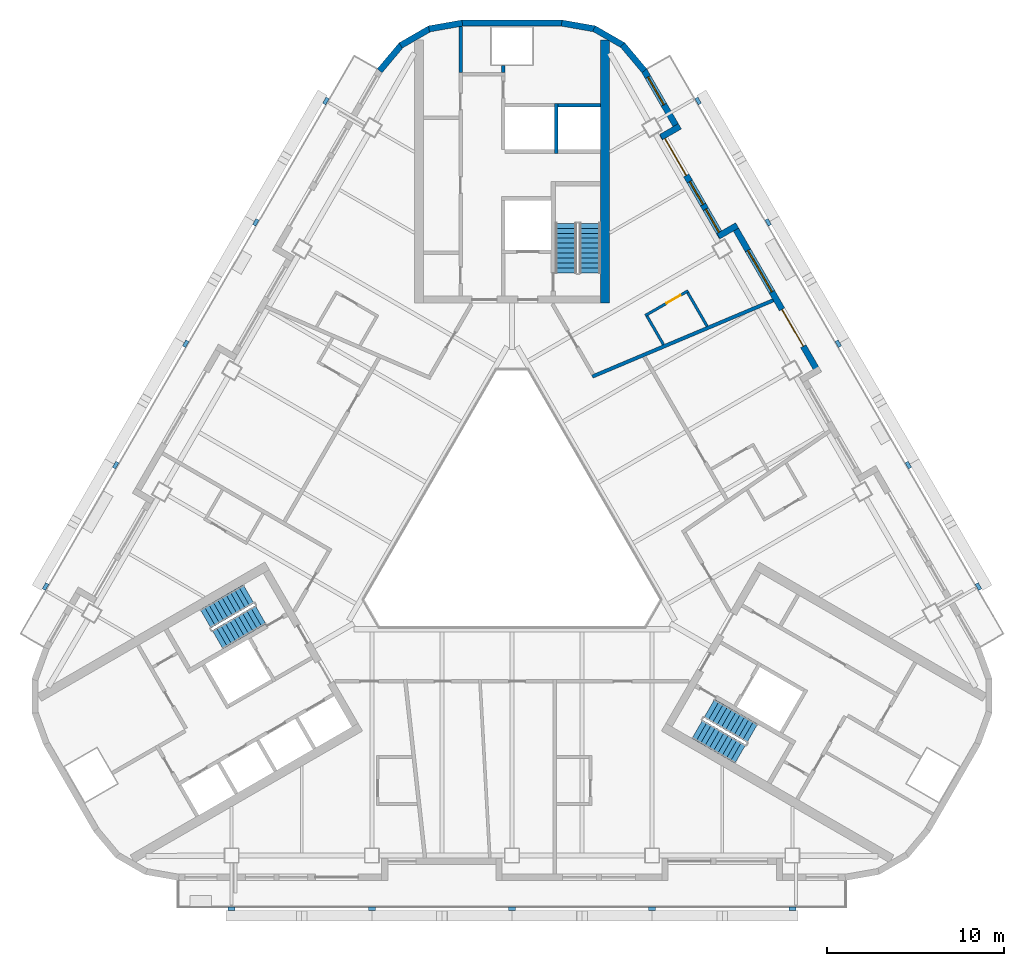
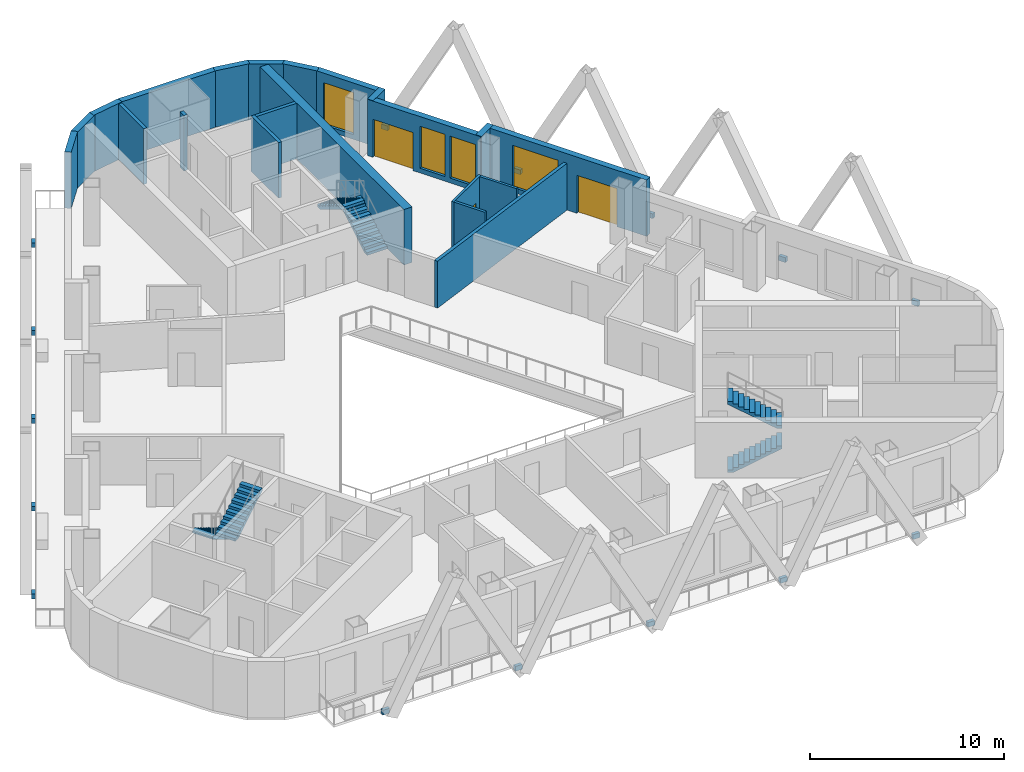
# One storey, part 7 of 13: 21 walls, 15 discrete accessories, 6 stair flights, 4 windows, 3 doors, 7 openings, 3 elements without a shape of their own.
"""IFC4 building model written with IfcOpenShell, lengths in metres."""

from ifc_helpers import new_model, si_unit, direction, frame, frame_2d, origin, origin_2d, place, context, subcontext, project, spatial, polyline, rectangle, outline, extrude, material, layer, layer_set, type_object, element, fill, aggregate, save


model = new_model("IFC4")

# Units and contexts
model_context = context("Model", 3, precision=1e-05, world=origin(), true_north=direction((0.0, 1.0)))
body_context = subcontext(model_context, "Body", "Model", "MODEL_VIEW")
ifc_project = project(units=[si_unit("LENGTHUNIT", "METRE"), si_unit("AREAUNIT", "SQUARE_METRE"), si_unit("VOLUMEUNIT", "CUBIC_METRE"), si_unit("PLANEANGLEUNIT", "RADIAN"), si_unit("MASSUNIT", "GRAM", prefix="KILO")], contexts=[model_context])

# Site, building, storey
site_placement = place(None, origin())
site = spatial("IfcSite", under=ifc_project, at=site_placement, CompositionType="ELEMENT")
building_placement = place(site_placement, origin())
building = spatial("IfcBuilding", under=site, at=building_placement, Name="Apuvela Tower Hotel", CompositionType="ELEMENT")
storey_placement = place(building_placement, frame((0.0, 0.0, 161.39990234375)))
storey = spatial("IfcBuildingStorey", under=building, at=storey_placement, Name="L38", CompositionType="ELEMENT", Elevation=161.39990234375)

# Walls
ifc_material_1 = material(Name="Concrete C50/60", Category="concrete")
ifc_layer_1 = layer(ifc_material_1, 0.5)
ifc_layer_set_1 = layer_set([ifc_layer_1], Name="COR-WALL-CORE-500")
wall_type_1 = type_object("IfcWallType", Name="COR-WALL-CORE-500", PredefinedType="SHEAR", material=ifc_layer_set_1)
wall_1_placement = place(storey_placement, frame((5.25, 12.89990234375, 0.0), z_axis=(0.0, 0.0, 1.0), x_axis=(0.0, 1.0, 0.0)))
element("IfcWall", 1, at=wall_1_placement, inside=storey, type_object=wall_type_1, Name="Core wall N", PredefinedType="SHEAR", context=body_context, shape_type="SweptSolid", body=[
    extrude(rectangle(XDim=14.8369140625, YDim=0.5, at=frame_2d((7.41845703125, 0.0))), origin(), (0.0, 0.0, 1.0), 3.5),
])
ifc_layer_2 = layer(ifc_material_1, 0.199951171875)
ifc_layer_set_2 = layer_set([ifc_layer_2], Name="COR-WALL-SHAFT-200")
wall_type_2 = type_object("IfcWallType", Name="COR-WALL-SHAFT-200", PredefinedType="SHEAR", material=ifc_layer_set_2)
wall_2_placement = place(storey_placement, frame((-0.5, 25.89990234375, 0.0), z_axis=(0.0, 0.0, 1.0), x_axis=(0.0, 1.0, 0.0)))
element("IfcWall", 2, at=wall_2_placement, inside=storey, type_object=wall_type_2, Name="Shaft wall N", PredefinedType="SHEAR", context=body_context, shape_type="SweptSolid", body=[
    extrude(rectangle(XDim=0.400146484375, YDim=0.199951171875, at=frame_2d((0.2001953125, 0.0))), origin(), (0.0, 0.0, 1.0), 3.5),
])
wall_3_placement = place(storey_placement, frame((-2.89990234375, 25.89990234375, 0.0), z_axis=(0.0, 0.0, 1.0), x_axis=(0.0, 1.0, 0.0)))
element("IfcWall", 3, at=wall_3_placement, inside=storey, type_object=wall_type_2, Name="Shaft wall N", PredefinedType="SHEAR", context=body_context, shape_type="SweptSolid", body=[
    extrude(rectangle(XDim=2.60009765625, YDim=0.199951171875, at=frame_2d((1.300048828125, 0.0))), origin(), (0.0, 0.0, 1.0), 3.5),
])
wall_4_placement = place(storey_placement, frame((2.5, 21.35009765625, 0.0), z_axis=(0.0, 0.0, 1.0), x_axis=(0.0, 1.0, 0.0)))
element("IfcWall", 4, at=wall_4_placement, inside=storey, type_object=wall_type_2, Name="Shaft wall N", PredefinedType="SHEAR", context=body_context, shape_type="SweptSolid", body=[
    extrude(rectangle(XDim=2.7998046875, YDim=0.199951171875, at=frame_2d((1.39990234375, 0.0))), origin(), (0.0, 0.0, 1.0), 3.5),
])
wall_5_placement = place(storey_placement, frame((5.0, 24.050048828125, 0.0), z_axis=(0.0, 0.0, 1.0), x_axis=(-1.0, 0.0, 0.0)))
element("IfcWall", 5, at=wall_5_placement, inside=storey, type_object=wall_type_2, Name="Shaft wall N", PredefinedType="SHEAR", context=body_context, shape_type="SweptSolid", body=[
    extrude(rectangle(XDim=2.39990234375, YDim=0.199951171875, at=frame_2d((1.199951171875, 0.0))), origin(), (0.0, 0.0, 1.0), 3.5),
])

# Wall, openings, door, window
ifc_material_2 = material(Name="Concrete C40/50, dark pigmented precast panel", Category="concrete")
ifc_layer_3 = layer(ifc_material_2, 0.35009765625)
ifc_layer_set_3 = layer_set([ifc_layer_3], Name="ENV-WALL-350")
wall_type_3 = type_object("IfcWallType", Name="ENV-WALL-350", PredefinedType="SOLIDWALL", material=ifc_layer_set_3)
wall_6_placement = place(storey_placement, frame((17.298583984375, 8.947998046875, 0.0), z_axis=(0.0, 0.0, 1.0), x_axis=(-0.500010041276, 0.866019606374, 0.0)))
wall_6 = element("IfcWall", 6, at=wall_6_placement, inside=storey, type_object=wall_type_3, Name="External wall L38-37", PredefinedType="SOLIDWALL", context=body_context, shape_type="SweptSolid", body=[
    extrude(rectangle(XDim=9.699951171875, YDim=0.35009765625, at=frame_2d((4.85009765625, 0.0))), origin(), (0.0, 0.0, 1.0), 3.550048828125),
])
opening_1_placement = place(wall_6_placement, frame((1.761962890625, 0.0, 0.0)))
opening_1 = element("IfcOpeningElement", 7, at=opening_1_placement, cuts=wall_6, Name="Opening BD24", PredefinedType="OPENING", context=body_context, shape_type="SweptSolid", body=[
    extrude(rectangle(XDim=2.39990234375, YDim=2.39990234375, at=frame_2d((1.199951171875, 1.199951171875))), frame((0.0, 0.18505859375, 0.0), z_axis=(0.0, -1.0, 0.0), x_axis=(1.0, 0.0, 0.0)), (0.0, 0.0, 1.0), 0.3701171875),
])
opening_2_placement = place(wall_6_placement, frame((5.301025390625, 0.0, 0.300048828125)))
opening_2 = element("IfcOpeningElement", 8, at=opening_2_placement, cuts=wall_6, Name="Opening WN27", PredefinedType="OPENING", context=body_context, shape_type="SweptSolid", body=[
    extrude(rectangle(XDim=2.699951171875, YDim=2.64990234375, at=frame_2d((1.35009765625, 1.324951171875))), frame((0.0, 0.18505859375, 0.0), z_axis=(0.0, -1.0, 0.0), x_axis=(1.0, 0.0, 0.0)), (0.0, 0.0, 1.0), 0.3701171875),
])
ifc_material_3 = material(Name="Aluminium 6063-T6, dark bronze anodised frame with dark tinted laminated glass", Category="aluminium")
door_type_1 = type_object("IfcDoorType", Name="ENV-DOOR-BALCONY-2400x2400", OperationType="SLIDING_TO_LEFT", PredefinedType="DOOR", material=ifc_material_3)
door_1_placement = place(opening_1_placement, frame((2.39990234375, 0.0, 0.0), z_axis=(0.0, 0.0, 1.0), x_axis=(-1.0, 0.0, 0.0)))
door_1 = element("IfcDoor", 9, at=door_1_placement, inside=storey, type_object=door_type_1, Name="Balcony door BD24", OperationType="SLIDING_TO_LEFT", OverallHeight=2.39990234375, OverallWidth=2.39990234375, PredefinedType="DOOR", context=body_context, shape_type="SweptSolid", body=[
    extrude(rectangle(XDim=2.39990234375, YDim=2.39990234375, at=frame_2d((1.199951171875, 1.199951171875))), frame((0.0, 0.02490234375, 0.0), z_axis=(0.0, -1.0, 0.0), x_axis=(1.0, 0.0, 0.0)), (0.0, 0.0, 1.0), 0.050048828125),
])
fill(opening_1, door_1)
ifc_material_4 = material(Name="Glass, dark tinted laminated insulated glazing unit", Category="glass")
window_type_1 = type_object("IfcWindowType", Name="ENV-WIN-2700x2650", PartitioningType="SINGLE_PANEL", PredefinedType="WINDOW", material=ifc_material_4)
window_1_placement = place(opening_2_placement, origin())
window_1 = element("IfcWindow", 10, at=window_1_placement, inside=storey, type_object=window_type_1, Name="Window WN27", OverallHeight=2.64990234375, OverallWidth=2.699951171875, PartitioningType="SINGLE_PANEL", PredefinedType="WINDOW", context=body_context, shape_type="SweptSolid", body=[
    extrude(rectangle(XDim=2.699951171875, YDim=2.64990234375, at=frame_2d((1.35009765625, 1.324951171875))), frame((0.0, 0.030029296875, 0.0), z_axis=(0.0, -1.0, 0.0), x_axis=(1.0, 0.0, 0.0)), (0.0, 0.0, 1.0), 0.06005859375),
])
fill(opening_2, window_1)

# Wall
wall_7_placement = place(storey_placement, frame((12.6875, 17.284423828125, 0.0), z_axis=(0.0, 0.0, 1.0), x_axis=(-0.865955602162, -0.500120880472, 0.0)))
element("IfcWall", 11, at=wall_7_placement, inside=storey, type_object=wall_type_3, Name="External wall L38-38", PredefinedType="SOLIDWALL", context=body_context, shape_type="SweptSolid", body=[
    extrude(rectangle(XDim=1.219970703125, YDim=0.35009765625, at=frame_2d((0.60986328125, 0.0))), origin(), (0.0, 0.0, 1.0), 3.550048828125),
])

# Wall, openings, door, windows
wall_8_placement = place(storey_placement, frame((11.8291015625, 16.621337890625, 0.0), z_axis=(0.0, 0.0, 1.0), x_axis=(-0.500003597184, 0.866023326939, 0.0)))
wall_8 = element("IfcWall", 12, at=wall_8_placement, inside=storey, type_object=wall_type_3, Name="External wall L38-39", PredefinedType="SOLIDWALL", context=body_context, shape_type="SweptSolid", body=[
    extrude(rectangle(XDim=6.740234375, YDim=0.35009765625, at=frame_2d((3.3701171875, 0.0))), origin(), (0.0, 0.0, 1.0), 3.550048828125),
])
opening_3_placement = place(wall_8_placement, frame((4.01953125, 0.0, 0.0)))
opening_3 = element("IfcOpeningElement", 13, at=opening_3_placement, cuts=wall_8, Name="Opening BD24", PredefinedType="OPENING", context=body_context, shape_type="SweptSolid", body=[
    extrude(rectangle(XDim=2.39990234375, YDim=2.39990234375, at=frame_2d((1.199951171875, 1.199951171875))), frame((0.0, 0.18505859375, 0.0), z_axis=(0.0, -1.0, 0.0), x_axis=(1.0, 0.0, 0.0)), (0.0, 0.0, 1.0), 0.3701171875),
])
opening_4_placement = place(wall_8_placement, frame((0.320068359375, 0.0, 0.300048828125)))
opening_4 = element("IfcOpeningElement", 14, at=opening_4_placement, cuts=wall_8, Name="Opening WN15", PredefinedType="OPENING", context=body_context, shape_type="SweptSolid", body=[
    extrude(rectangle(XDim=1.5, YDim=2.64990234375, at=frame_2d((0.75, 1.324951171875))), frame((0.0, 0.18505859375, 0.0), z_axis=(0.0, -1.0, 0.0), x_axis=(1.0, 0.0, 0.0)), (0.0, 0.0, 1.0), 0.3701171875),
])
opening_5_placement = place(wall_8_placement, frame((2.1201171875, 0.0, 0.300048828125)))
opening_5 = element("IfcOpeningElement", 15, at=opening_5_placement, cuts=wall_8, Name="Opening WN15", PredefinedType="OPENING", context=body_context, shape_type="SweptSolid", body=[
    extrude(rectangle(XDim=1.5, YDim=2.64990234375, at=frame_2d((0.75, 1.324951171875))), frame((0.0, 0.18505859375, 0.0), z_axis=(0.0, -1.0, 0.0), x_axis=(1.0, 0.0, 0.0)), (0.0, 0.0, 1.0), 0.3701171875),
])
door_2_placement = place(opening_3_placement, frame((2.39990234375, 0.0, 0.0), z_axis=(0.0, 0.0, 1.0), x_axis=(-1.0, 0.0, 0.0)))
door_2 = element("IfcDoor", 16, at=door_2_placement, inside=storey, type_object=door_type_1, Name="Balcony door BD24", OperationType="SLIDING_TO_LEFT", OverallHeight=2.39990234375, OverallWidth=2.39990234375, PredefinedType="DOOR", context=body_context, shape_type="SweptSolid", body=[
    extrude(rectangle(XDim=2.39990234375, YDim=2.39990234375, at=frame_2d((1.199951171875, 1.199951171875))), frame((0.0, 0.02490234375, 0.0), z_axis=(0.0, -1.0, 0.0), x_axis=(1.0, 0.0, 0.0)), (0.0, 0.0, 1.0), 0.050048828125),
])
fill(opening_3, door_2)
window_type_2 = type_object("IfcWindowType", Name="ENV-WIN-1500x2650", PartitioningType="SINGLE_PANEL", PredefinedType="WINDOW", material=ifc_material_4)
window_2_placement = place(opening_4_placement, origin())
window_2 = element("IfcWindow", 17, at=window_2_placement, inside=storey, type_object=window_type_2, Name="Window WN15", OverallHeight=2.64990234375, OverallWidth=1.5, PartitioningType="SINGLE_PANEL", PredefinedType="WINDOW", context=body_context, shape_type="SweptSolid", body=[
    extrude(rectangle(XDim=1.5, YDim=2.64990234375, at=frame_2d((0.75, 1.324951171875))), frame((0.0, 0.030029296875, 0.0), z_axis=(0.0, -1.0, 0.0), x_axis=(1.0, 0.0, 0.0)), (0.0, 0.0, 1.0), 0.06005859375),
])
fill(opening_4, window_2)
window_3_placement = place(opening_5_placement, origin())
window_3 = element("IfcWindow", 18, at=window_3_placement, inside=storey, type_object=window_type_2, Name="Window WN15", OverallHeight=2.64990234375, OverallWidth=1.5, PartitioningType="SINGLE_PANEL", PredefinedType="WINDOW", context=body_context, shape_type="SweptSolid", body=[
    extrude(rectangle(XDim=1.5, YDim=2.64990234375, at=frame_2d((0.75, 1.324951171875))), frame((0.0, 0.030029296875, 0.0), z_axis=(0.0, -1.0, 0.0), x_axis=(1.0, 0.0, 0.0)), (0.0, 0.0, 1.0), 0.06005859375),
])
fill(opening_5, window_3)

# Wall
wall_9_placement = place(storey_placement, frame((8.406005859375, 22.26025390625, 0.0), z_axis=(0.0, 0.0, 1.0), x_axis=(0.865955602162, 0.500120880472, 0.0)))
element("IfcWall", 19, at=wall_9_placement, inside=storey, type_object=wall_type_3, Name="External wall L38-40", PredefinedType="SOLIDWALL", context=body_context, shape_type="SweptSolid", body=[
    extrude(rectangle(XDim=1.219970703125, YDim=0.35009765625, at=frame_2d((0.60986328125, 0.0))), origin(), (0.0, 0.0, 1.0), 3.550048828125),
])

# Wall, opening, window
wall_10_placement = place(storey_placement, frame((9.3984375, 22.631103515625, 0.0), z_axis=(0.0, 0.0, 1.0), x_axis=(-0.499954521343, 0.866051659307, 0.0)))
wall_10 = element("IfcWall", 20, at=wall_10_placement, inside=storey, type_object=wall_type_3, Name="External wall L38-41", PredefinedType="SOLIDWALL", context=body_context, shape_type="SweptSolid", body=[
    extrude(rectangle(XDim=3.915771484375, YDim=0.35009765625, at=frame_2d((1.9580078125, 0.0))), origin(), (0.0, 0.0, 1.0), 3.550048828125),
])
opening_6_placement = place(wall_10_placement, frame((1.67529296875, 0.0, 0.300048828125)))
opening_6 = element("IfcOpeningElement", 21, at=opening_6_placement, cuts=wall_10, Name="Opening WN18", PredefinedType="OPENING", context=body_context, shape_type="SweptSolid", body=[
    extrude(rectangle(XDim=1.800048828125, YDim=2.64990234375, at=frame_2d((0.89990234375, 1.324951171875))), frame((0.0, 0.18505859375, 0.0), z_axis=(0.0, -1.0, 0.0), x_axis=(1.0, 0.0, 0.0)), (0.0, 0.0, 1.0), 0.3701171875),
])
window_type_3 = type_object("IfcWindowType", Name="ENV-WIN-1800x2650", PartitioningType="SINGLE_PANEL", PredefinedType="WINDOW", material=ifc_material_4)
window_4_placement = place(opening_6_placement, origin())
window_4 = element("IfcWindow", 22, at=window_4_placement, inside=storey, type_object=window_type_3, Name="Window WN18", OverallHeight=2.64990234375, OverallWidth=1.800048828125, PartitioningType="SINGLE_PANEL", PredefinedType="WINDOW", context=body_context, shape_type="SweptSolid", body=[
    extrude(rectangle(XDim=1.800048828125, YDim=2.64990234375, at=frame_2d((0.89990234375, 1.324951171875))), frame((0.0, 0.030029296875, 0.0), z_axis=(0.0, -1.0, 0.0), x_axis=(1.0, 0.0, 0.0)), (0.0, 0.0, 1.0), 0.06005859375),
])
fill(opening_6, window_4)

# Walls
wall_11_placement = place(storey_placement, frame((7.4580078125, 25.99755859375, 0.0), z_axis=(0.0, 0.0, 1.0), x_axis=(-0.642808304945, 0.766027077259, 0.0)))
element("IfcWall", 23, at=wall_11_placement, inside=storey, type_object=wall_type_3, Name="External wall L38-42", PredefinedType="SOLIDWALL", context=body_context, shape_type="SweptSolid", body=[
    extrude(rectangle(XDim=1.909912109375, YDim=0.35009765625, at=frame_2d((0.955078125, 0.0))), origin(), (0.0, 0.0, 1.0), 3.550048828125),
])
for number, where, z_axis, x_axis, name in (
    (24, (6.27685546875, 27.421630859375, 0.0), (0.0, 0.0, 1.0), (-0.866032345022, 0.499987977232, 0.0), "External wall L38-43"),
    (25, (4.6796875, 28.35595703125, 0.0), (0.0, 0.0, 1.0), (-0.984798995425, 0.173697837091, 0.0), "External wall L38-44"),
):
    element("IfcWall", number, at=place(storey_placement, frame(where, z_axis=z_axis, x_axis=x_axis)), inside=storey, type_object=wall_type_3, Name=name, PredefinedType="SOLIDWALL", context=body_context, shape_type="SweptSolid", body=[
        extrude(rectangle(XDim=1.91015625, YDim=0.35009765625, at=frame_2d((0.955078125, 0.0))), origin(), (0.0, 0.0, 1.0), 3.550048828125),
    ])
wall_12_placement = place(storey_placement, frame((2.8291015625, 28.68505859375, 0.0), z_axis=(0.0, 0.0, 1.0), x_axis=(-1.0, 0.0, 0.0)))
element("IfcWall", 26, at=wall_12_placement, inside=storey, type_object=wall_type_3, Name="External wall L38-45", PredefinedType="SOLIDWALL", context=body_context, shape_type="SweptSolid", body=[
    extrude(rectangle(XDim=5.658203125, YDim=0.35009765625, at=frame_2d((2.8291015625, 0.0))), origin(), (0.0, 0.0, 1.0), 3.550048828125),
])
for number, where, z_axis, x_axis, name in (
    (27, (-2.798583984375, 28.687744140625, 0.0), (0.0, 0.0, 1.0), (-0.984798995425, -0.173697837091, 0.0), "External wall L38-46"),
    (28, (-4.62255859375, 28.376708984375, 0.0), (0.0, 0.0, 1.0), (-0.866032345022, -0.499987977232, 0.0), "External wall L38-47"),
):
    element("IfcWall", number, at=place(storey_placement, frame(where, z_axis=z_axis, x_axis=x_axis)), inside=storey, type_object=wall_type_3, Name=name, PredefinedType="SOLIDWALL", context=body_context, shape_type="SweptSolid", body=[
        extrude(rectangle(XDim=1.91015625, YDim=0.35009765625, at=frame_2d((0.955078125, 0.0))), origin(), (0.0, 0.0, 1.0), 3.550048828125),
    ])
wall_13_placement = place(storey_placement, frame((-6.230224609375, 27.460693359375, 0.0), z_axis=(0.0, 0.0, 1.0), x_axis=(-0.642808304945, -0.766027077259, 0.0)))
element("IfcWall", 29, at=wall_13_placement, inside=storey, type_object=wall_type_3, Name="External wall L38-48", PredefinedType="SOLIDWALL", context=body_context, shape_type="SweptSolid", body=[
    extrude(rectangle(XDim=1.909912109375, YDim=0.35009765625, at=frame_2d((0.955078125, 0.0))), origin(), (0.0, 0.0, 1.0), 3.550048828125),
])
ifc_material_5 = material(Name="Gypsum board partition on twin steel stud", Category="steel")
ifc_layer_4 = layer(ifc_material_5, 0.199951171875)
ifc_layer_set_4 = layer_set([ifc_layer_4], Name="GST-PW1")
wall_type_4 = type_object("IfcWallType", Name="GST-PW1", PredefinedType="PARTITIONING", material=ifc_layer_set_4)
wall_14_placement = place(storey_placement, frame((14.721923828125, 13.060791015625, 0.0), z_axis=(0.0, 0.0, 1.0), x_axis=(-0.921447968583, -0.388501790465, 0.0)))
element("IfcWall", 30, at=wall_14_placement, inside=storey, type_object=wall_type_4, Name="L38 partition 04", PredefinedType="PARTITIONING", context=body_context, shape_type="SweptSolid", body=[
    extrude(rectangle(XDim=11.065673828125, YDim=0.199951171875, at=frame_2d((5.53271484375, 0.0))), origin(), (0.0, 0.0, 1.0), 2.9501953125),
])

# Wall, opening, door
ifc_material_6 = material(Name="Moisture-resistant gypsum board wet wall on steel stud", Category="steel")
ifc_layer_5 = layer(ifc_material_6, 0.14990234375)
ifc_layer_set_5 = layer_set([ifc_layer_5], Name="GST-PW3")
wall_type_5 = type_object("IfcWallType", Name="GST-PW3", PredefinedType="PARTITIONING", material=ifc_layer_set_5)
wall_15_placement = place(storey_placement, frame((9.9306640625, 13.599609375, 0.0), z_axis=(0.0, 0.0, 1.0), x_axis=(-0.866034573852, -0.49998411664, 0.0)))
wall_15 = element("IfcWall", 31, at=wall_15_placement, inside=storey, type_object=wall_type_5, Name="L38 partition 26", PredefinedType="PARTITIONING", context=body_context, shape_type="SweptSolid", body=[
    extrude(rectangle(XDim=2.7998046875, YDim=0.14990234375, at=frame_2d((1.39990234375, 0.0))), origin(), (0.0, 0.0, 1.0), 3.550048828125),
])
opening_7_placement = place(wall_15_placement, frame((0.5, 0.0, 0.0)))
opening_7 = element("IfcOpeningElement", 32, at=opening_7_placement, cuts=wall_15, Name="Opening GD14-11", PredefinedType="OPENING", context=body_context, shape_type="SweptSolid", body=[
    extrude(rectangle(XDim=0.89990234375, YDim=2.10009765625, at=frame_2d((0.449951171875, 1.050048828125))), frame((0.0, 0.0849609375, 0.0), z_axis=(0.0, -1.0, 0.0), x_axis=(1.0, 0.0, 0.0)), (0.0, 0.0, 1.0), 0.169921875),
])
ifc_material_7 = material(Name="Timber door leaf in steel frame", Category="steel")
door_type_2 = type_object("IfcDoorType", Name="GST-D2", OperationType="NOTDEFINED", PredefinedType="DOOR", material=ifc_material_7)
door_3_placement = place(opening_7_placement, origin())
door_3 = element("IfcDoor", 33, at=door_3_placement, inside=storey, type_object=door_type_2, Name="Door L38-11", OperationType="SINGLE_SWING_LEFT", OverallHeight=2.10009765625, OverallWidth=0.89990234375, PredefinedType="DOOR", context=body_context, shape_type="SweptSolid", body=[
    extrude(rectangle(XDim=0.89990234375, YDim=2.10009765625, at=frame_2d((0.449951171875, 1.050048828125))), frame((0.0, 0.02490234375, 0.0), z_axis=(0.0, -1.0, 0.0), x_axis=(1.0, 0.0, 0.0)), (0.0, 0.0, 1.0), 0.050048828125),
])
fill(opening_7, door_3)

# Walls
wall_16_placement = place(storey_placement, frame((10.998779296875, 11.599609375, 0.0), z_axis=(0.0, 0.0, 1.0), x_axis=(-0.499937856693, 0.866061279267, 0.0)))
element("IfcWall", 34, at=wall_16_placement, inside=storey, type_object=wall_type_5, Name="L38 partition 27", PredefinedType="PARTITIONING", context=body_context, shape_type="SweptSolid", body=[
    extrude(rectangle(XDim=2.191162109375, YDim=0.14990234375, at=frame_2d((1.095703125, 0.0))), origin(), (0.0, 0.0, 1.0), 3.550048828125),
])
wall_17_placement = place(storey_placement, frame((8.537841796875, 10.56201171875, 0.0), z_axis=(0.0, 0.0, 1.0), x_axis=(-0.500036928615, 0.866004081989, 0.0)))
element("IfcWall", 35, at=wall_17_placement, inside=storey, type_object=wall_type_5, Name="L38 partition 28", PredefinedType="PARTITIONING", context=body_context, shape_type="SweptSolid", body=[
    extrude(rectangle(XDim=1.859130859375, YDim=0.14990234375, at=frame_2d((0.9296875, 0.0))), origin(), (0.0, 0.0, 1.0), 3.550048828125),
])

# Stair, stair flights
stair_type = type_object("IfcStairType", Name="COR-STAIR-22R", PredefinedType="HALF_TURN_STAIR", material=ifc_material_1)
stair_1_placement = place(storey_placement, origin())
stair_1 = element("IfcStair", 36, at=stair_1_placement, inside=storey, type_object=stair_type, Name="L38 Exit stair ST1", PredefinedType="HALF_TURN_STAIR")
stair_flight_type = type_object("IfcStairFlightType", Name="COR-FLIGHT-11R", PredefinedType="STRAIGHT", material=ifc_material_1)
stair_flight_1_placement = place(storey_placement, frame((4.39990234375, 14.60009765625, 0.0), z_axis=(0.0, 0.0, 1.0), x_axis=(0.0, 1.0, 0.0)))
stair_flight_1 = element("IfcStairFlight", 37, at=stair_flight_1_placement, type_object=stair_flight_type, Name="ST1 flight 1", NumberOfRisers=11, NumberOfTreads=10, PredefinedType="STRAIGHT", RiserHeight=0.168181818, TreadLength=0.28, context=body_context, shape_type="SweptSolid", body=[
    extrude(outline(polyline([(0.0, 0.0), (0.0, 0.168212890625), (0.280029296875, 0.168212890625), (0.280029296875, 0.33642578125), (0.56005859375, 0.33642578125), (0.56005859375, 0.504638671875), (0.840087890625, 0.504638671875), (0.840087890625, 0.672607421875), (1.1201171875, 0.672607421875), (1.1201171875, 0.8408203125), (1.39990234375, 0.8408203125), (1.39990234375, 1.009033203125), (1.679931640625, 1.009033203125), (1.679931640625, 1.17724609375), (1.9599609375, 1.17724609375), (1.9599609375, 1.345458984375), (2.239990234375, 1.345458984375), (2.239990234375, 1.513671875), (2.52001953125, 1.513671875), (2.52001953125, 1.681884765625), (2.800048828125, 1.681884765625), (2.800048828125, 1.85009765625), (2.800048828125, 1.5068359375), (0.291015625, 0.0), (0.0, 0.0)])), frame((0.0, 0.60009765625, 0.0), z_axis=(0.0, -1.0, 0.0), x_axis=(1.0, 0.0, 0.0)), (0.0, 0.0, 1.0), 1.199951171875),
])
stair_flight_2_placement = place(storey_placement, frame((3.050048828125, 17.39990234375, 1.85009765625), z_axis=(0.0, 0.0, 1.0), x_axis=(0.0, -1.0, 0.0)))
stair_flight_2 = element("IfcStairFlight", 38, at=stair_flight_2_placement, type_object=stair_flight_type, Name="ST1 flight 2", NumberOfRisers=11, NumberOfTreads=10, PredefinedType="STRAIGHT", RiserHeight=0.168181818, TreadLength=0.28, context=body_context, shape_type="SweptSolid", body=[
    extrude(outline(polyline([(0.0, 0.0), (0.0, 0.168212890625), (0.280029296875, 0.168212890625), (0.280029296875, 0.33642578125), (0.56005859375, 0.33642578125), (0.56005859375, 0.504638671875), (0.840087890625, 0.504638671875), (0.840087890625, 0.672607421875), (1.1201171875, 0.672607421875), (1.1201171875, 0.8408203125), (1.39990234375, 0.8408203125), (1.39990234375, 1.009033203125), (1.679931640625, 1.009033203125), (1.679931640625, 1.17724609375), (1.9599609375, 1.17724609375), (1.9599609375, 1.345458984375), (2.239990234375, 1.345458984375), (2.239990234375, 1.513671875), (2.52001953125, 1.513671875), (2.52001953125, 1.681884765625), (2.800048828125, 1.681884765625), (2.800048828125, 1.85009765625), (2.800048828125, 1.5068359375), (0.291015625, 0.0), (0.0, 0.0)])), frame((0.0, 0.60009765625, 0.0), z_axis=(0.0, -1.0, 0.0), x_axis=(1.0, 0.0, 0.0)), (0.0, 0.0, 1.0), 1.199951171875),
])
aggregate(stair_1, [stair_flight_1, stair_flight_2])

stair_2_placement = place(storey_placement, origin())
stair_2 = element("IfcStair", 39, at=stair_2_placement, inside=storey, type_object=stair_type, Name="L38 Exit stair ST2", PredefinedType="HALF_TURN_STAIR")
stair_flight_3_placement = place(storey_placement, frame((-14.843994140625, -3.489501953125, 0.0), z_axis=(0.0, 0.0, 1.0), x_axis=(-0.866025403784, -0.5, 0.0)))
stair_flight_3 = element("IfcStairFlight", 40, at=stair_flight_3_placement, type_object=stair_flight_type, Name="ST2 flight 1", NumberOfRisers=11, NumberOfTreads=10, PredefinedType="STRAIGHT", RiserHeight=0.168181818, TreadLength=0.28, context=body_context, shape_type="SweptSolid", body=[
    extrude(outline(polyline([(0.0, 0.0), (0.0, 0.168212890625), (0.280029296875, 0.168212890625), (0.280029296875, 0.33642578125), (0.56005859375, 0.33642578125), (0.56005859375, 0.504638671875), (0.840087890625, 0.504638671875), (0.840087890625, 0.672607421875), (1.1201171875, 0.672607421875), (1.1201171875, 0.8408203125), (1.39990234375, 0.8408203125), (1.39990234375, 1.009033203125), (1.679931640625, 1.009033203125), (1.679931640625, 1.17724609375), (1.9599609375, 1.17724609375), (1.9599609375, 1.345458984375), (2.239990234375, 1.345458984375), (2.239990234375, 1.513671875), (2.52001953125, 1.513671875), (2.52001953125, 1.681884765625), (2.800048828125, 1.681884765625), (2.800048828125, 1.85009765625), (2.800048828125, 1.5068359375), (0.291015625, 0.0), (0.0, 0.0)])), frame((0.0, 0.60009765625, 0.0), z_axis=(0.0, -1.0, 0.0), x_axis=(1.0, 0.0, 0.0)), (0.0, 0.0, 1.0), 1.199951171875),
])
stair_flight_4_placement = place(storey_placement, frame((-16.59375, -6.05859375, 1.85009765625), z_axis=(0.0, 0.0, 1.0), x_axis=(0.866025403784, 0.5, 0.0)))
stair_flight_4 = element("IfcStairFlight", 41, at=stair_flight_4_placement, type_object=stair_flight_type, Name="ST2 flight 2", NumberOfRisers=11, NumberOfTreads=10, PredefinedType="STRAIGHT", RiserHeight=0.168181818, TreadLength=0.28, context=body_context, shape_type="SweptSolid", body=[
    extrude(outline(polyline([(0.0, 0.0), (0.0, 0.168212890625), (0.280029296875, 0.168212890625), (0.280029296875, 0.33642578125), (0.56005859375, 0.33642578125), (0.56005859375, 0.504638671875), (0.840087890625, 0.504638671875), (0.840087890625, 0.672607421875), (1.1201171875, 0.672607421875), (1.1201171875, 0.8408203125), (1.39990234375, 0.8408203125), (1.39990234375, 1.009033203125), (1.679931640625, 1.009033203125), (1.679931640625, 1.17724609375), (1.9599609375, 1.17724609375), (1.9599609375, 1.345458984375), (2.239990234375, 1.345458984375), (2.239990234375, 1.513671875), (2.52001953125, 1.513671875), (2.52001953125, 1.681884765625), (2.800048828125, 1.681884765625), (2.800048828125, 1.85009765625), (2.800048828125, 1.5068359375), (0.291015625, 0.0), (0.0, 0.0)])), frame((0.0, 0.60009765625, 0.0), z_axis=(0.0, -1.0, 0.0), x_axis=(1.0, 0.0, 0.0)), (0.0, 0.0, 1.0), 1.199951171875),
])
aggregate(stair_2, [stair_flight_3, stair_flight_4])

stair_3_placement = place(storey_placement, origin())
stair_3 = element("IfcStair", 42, at=stair_3_placement, inside=storey, type_object=stair_type, Name="L38 Exit stair ST3", PredefinedType="HALF_TURN_STAIR")
stair_flight_5_placement = place(storey_placement, frame((10.444091796875, -11.110595703125, 0.0), z_axis=(0.0, 0.0, 1.0), x_axis=(0.866025403784, -0.5, 0.0)))
stair_flight_5 = element("IfcStairFlight", 43, at=stair_flight_5_placement, type_object=stair_flight_type, Name="ST3 flight 1", NumberOfRisers=11, NumberOfTreads=10, PredefinedType="STRAIGHT", RiserHeight=0.168181818, TreadLength=0.28, context=body_context, shape_type="SweptSolid", body=[
    extrude(outline(polyline([(0.0, 0.0), (0.0, 0.168212890625), (0.280029296875, 0.168212890625), (0.280029296875, 0.33642578125), (0.56005859375, 0.33642578125), (0.56005859375, 0.504638671875), (0.840087890625, 0.504638671875), (0.840087890625, 0.672607421875), (1.1201171875, 0.672607421875), (1.1201171875, 0.8408203125), (1.39990234375, 0.8408203125), (1.39990234375, 1.009033203125), (1.679931640625, 1.009033203125), (1.679931640625, 1.17724609375), (1.9599609375, 1.17724609375), (1.9599609375, 1.345458984375), (2.239990234375, 1.345458984375), (2.239990234375, 1.513671875), (2.52001953125, 1.513671875), (2.52001953125, 1.681884765625), (2.800048828125, 1.681884765625), (2.800048828125, 1.85009765625), (2.800048828125, 1.5068359375), (0.291015625, 0.0), (0.0, 0.0)])), frame((0.0, 0.60009765625, 0.0), z_axis=(0.0, -1.0, 0.0), x_axis=(1.0, 0.0, 0.0)), (0.0, 0.0, 1.0), 1.199951171875),
])
stair_flight_6_placement = place(storey_placement, frame((13.5439453125, -11.34130859375, 1.85009765625), z_axis=(0.0, 0.0, 1.0), x_axis=(-0.866025403784, 0.5, 0.0)))
stair_flight_6 = element("IfcStairFlight", 44, at=stair_flight_6_placement, type_object=stair_flight_type, Name="ST3 flight 2", NumberOfRisers=11, NumberOfTreads=10, PredefinedType="STRAIGHT", RiserHeight=0.168181818, TreadLength=0.28, context=body_context, shape_type="SweptSolid", body=[
    extrude(outline(polyline([(0.0, 0.0), (0.0, 0.168212890625), (0.280029296875, 0.168212890625), (0.280029296875, 0.33642578125), (0.56005859375, 0.33642578125), (0.56005859375, 0.504638671875), (0.840087890625, 0.504638671875), (0.840087890625, 0.672607421875), (1.1201171875, 0.672607421875), (1.1201171875, 0.8408203125), (1.39990234375, 0.8408203125), (1.39990234375, 1.009033203125), (1.679931640625, 1.009033203125), (1.679931640625, 1.17724609375), (1.9599609375, 1.17724609375), (1.9599609375, 1.345458984375), (2.239990234375, 1.345458984375), (2.239990234375, 1.513671875), (2.52001953125, 1.513671875), (2.52001953125, 1.681884765625), (2.800048828125, 1.681884765625), (2.800048828125, 1.85009765625), (2.800048828125, 1.5068359375), (0.291015625, 0.0), (0.0, 0.0)])), frame((0.0, 0.60009765625, 0.0), z_axis=(0.0, -1.0, 0.0), x_axis=(1.0, 0.0, 0.0)), (0.0, 0.0, 1.0), 1.199951171875),
])
aggregate(stair_3, [stair_flight_5, stair_flight_6])

# Discrete accessories
ifc_material_8 = material(Name="Steel S355, black paint system", Category="steel")
discrete_accessory_type = type_object("IfcDiscreteAccessoryType", Name="ENV-FIN-BRACKET", PredefinedType="BRACKET", material=ifc_material_8)
for number, where, z_axis, x_axis, name in (
    (45, (26.28564453125, -3.068115234375, -0.25), (0.0, 0.0, 1.0), (-0.5, 0.866025403784, 0.0), "Fin bracket NE69"),
    (46, (22.335693359375, 3.7734375, -0.25), (0.0, 0.0, 1.0), (-0.5, 0.866025403784, 0.0), "Fin bracket NE70"),
    (47, (18.3857421875, 10.614990234375, -0.25), (0.0, 0.0, 1.0), (-0.5, 0.866025403784, 0.0), "Fin bracket NE71"),
    (48, (14.435791015625, 17.45654296875, -0.25), (0.0, 0.0, 1.0), (-0.5, 0.866025403784, 0.0), "Fin bracket NE72"),
    (49, (10.485595703125, 24.298095703125, -0.25), (0.0, 0.0, 1.0), (-0.5, 0.866025403784, 0.0), "Fin bracket NE73"),
    (50, (-10.485595703125, 24.298095703125, -0.25), (0.0, 0.0, 1.0), (-0.5, -0.866025403784, 0.0), "Fin bracket NW218"),
    (51, (-14.435791015625, 17.45654296875, -0.25), (0.0, 0.0, 1.0), (-0.5, -0.866025403784, 0.0), "Fin bracket NW219"),
    (52, (-18.3857421875, 10.614990234375, -0.25), (0.0, 0.0, 1.0), (-0.5, -0.866025403784, 0.0), "Fin bracket NW220"),
    (53, (-22.335693359375, 3.7734375, -0.25), (0.0, 0.0, 1.0), (-0.5, -0.866025403784, 0.0), "Fin bracket NW221"),
    (54, (-26.28564453125, -3.068115234375, -0.25), (0.0, 0.0, 1.0), (-0.5, -0.866025403784, 0.0), "Fin bracket NW222"),
    (55, (-15.800048828125, -21.22998046875, -0.25), (0.0, 0.0, 1.0), (1.0, 0.0, 0.0), "Fin bracket S368"),
    (56, (-7.89990234375, -21.22998046875, -0.25), (0.0, 0.0, 1.0), (1.0, 0.0, 0.0), "Fin bracket S369"),
    (57, (0.0, -21.22998046875, -0.25), (0.0, 0.0, 1.0), (1.0, 0.0, 0.0), "Fin bracket S370"),
    (58, (7.89990234375, -21.22998046875, -0.25), (0.0, 0.0, 1.0), (1.0, 0.0, 0.0), "Fin bracket S371"),
    (59, (15.800048828125, -21.22998046875, -0.25), (0.0, 0.0, 1.0), (1.0, 0.0, 0.0), "Fin bracket S372"),
):
    element("IfcDiscreteAccessory", number, at=place(storey_placement, frame(where, z_axis=z_axis, x_axis=x_axis)), inside=storey, type_object=discrete_accessory_type, Name=name, PredefinedType="BRACKET", context=body_context, shape_type="SweptSolid", body=[
        extrude(rectangle(XDim=0.39990234375, YDim=0.199951171875, at=origin_2d()), origin(), (0.0, 0.0, 1.0), 0.300048828125),
    ])

save(model, "model.ifc")
